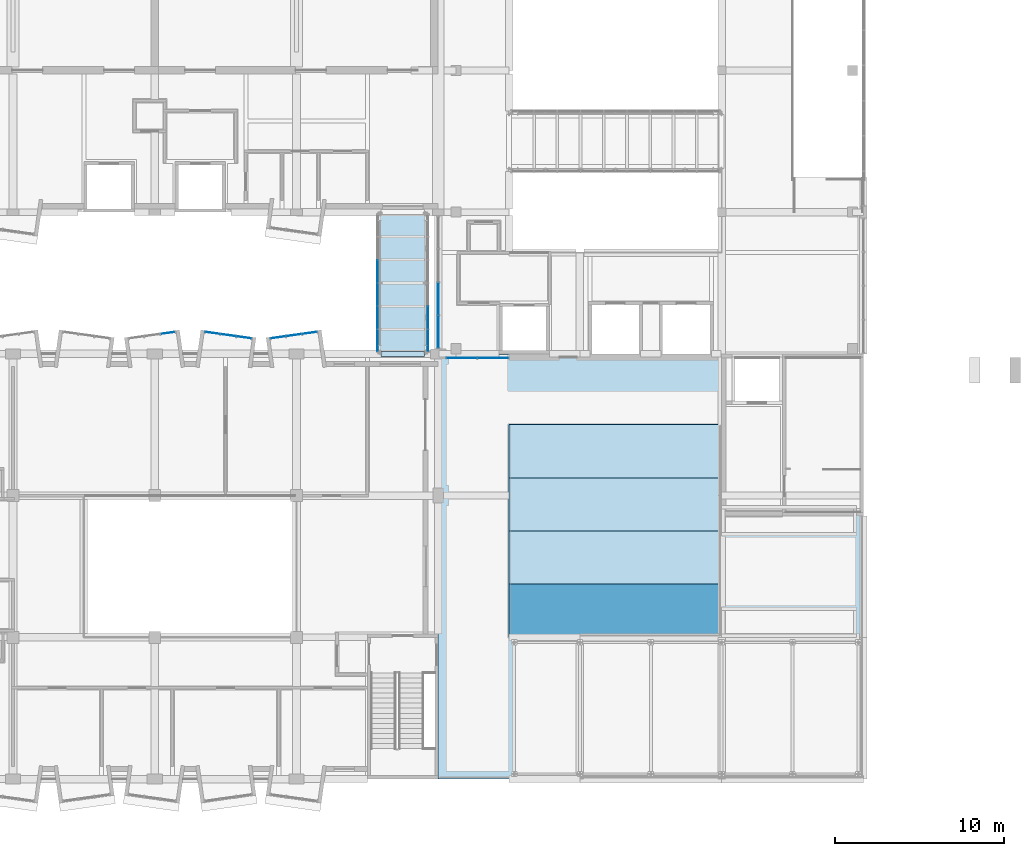
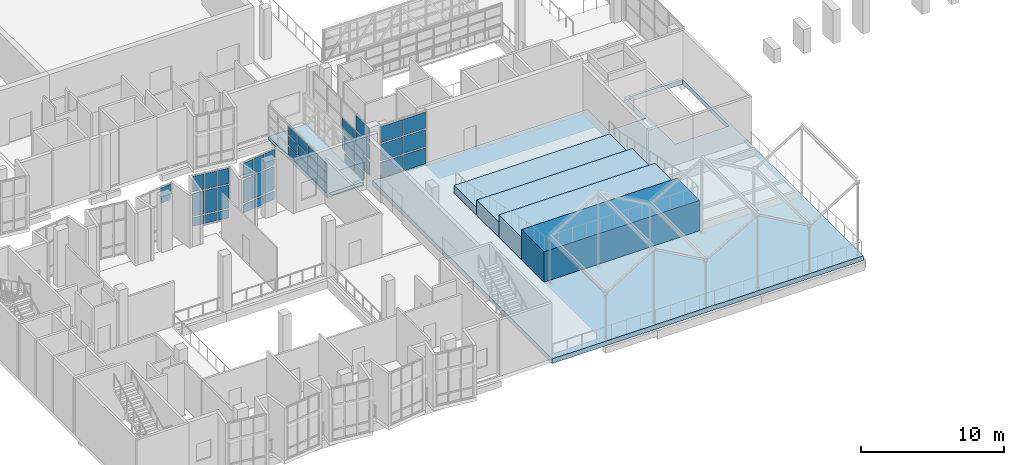
# One storey, part 31 of 67: 49 plates, 6 slabs, 7 elements without a shape of their own.
"""IFC4 building model written with IfcOpenShell, lengths in metres."""

from ifc_helpers import new_model, si_unit, direction, frame, origin, origin_2d, place, context, subcontext, project, spatial, polyline, rectangle, outline, extrude, material, layer, layer_set, type_object, element, aggregate, save


model = new_model("IFC4")

# Units and contexts
model_context = context("Model", 3, precision=1e-05, world=origin(), true_north=direction((0.0, 1.0)))
body_context = subcontext(model_context, "Body", "Model", "MODEL_VIEW")
ifc_project = project(units=[si_unit("LENGTHUNIT", "METRE"), si_unit("AREAUNIT", "SQUARE_METRE"), si_unit("VOLUMEUNIT", "CUBIC_METRE"), si_unit("PLANEANGLEUNIT", "RADIAN"), si_unit("MASSUNIT", "GRAM", prefix="KILO")], contexts=[model_context])

# Site, building, storey
site_placement = place(None, origin())
site = spatial("IfcSite", under=ifc_project, at=site_placement, CompositionType="ELEMENT")
building_placement = place(site_placement, origin())
building = spatial("IfcBuilding", under=site, at=building_placement, Name="Kiln Court Media Centre", CompositionType="ELEMENT")
storey_placement = place(building_placement, frame((0.0, 0.0, 19.800048828125)))
storey = spatial("IfcBuildingStorey", under=building, at=storey_placement, Name="L04", CompositionType="ELEMENT", Elevation=19.800048828125)

# Slabs
ifc_material_1 = material(Name="Concrete C30/37", Category="concrete")
ifc_layer_1 = layer(ifc_material_1, 0.300048828125)
ifc_layer_set_1 = layer_set([ifc_layer_1], Name="Concrete C30/37 bridge deck slab 300")
slab_type_1 = type_object("IfcSlabType", Name="Concrete C30/37 bridge deck slab 300", PredefinedType="FLOOR", material=ifc_layer_set_1)
slab_1_placement = place(storey_placement, frame((0.0, 0.0, -0.300048828125)))
element("IfcSlab", 1, at=slab_1_placement, inside=storey, type_object=slab_type_1, Name="bridge BR-2 deck bridge deck slab", PredefinedType="FLOOR", context=body_context, shape_type="SweptSolid", body=[
    extrude(outline(polyline([(30.0, 25.300048828125), (33.0, 25.300048828125), (33.0, 33.5), (30.0, 33.5), (30.0, 25.300048828125)])), origin(), (0.0, 0.0, 1.0), 0.300048828125),
])
ifc_material_2 = material(Name="Concrete C30/37", Category="concrete")
ifc_layer_2 = layer(ifc_material_2, 0.39990234375)
ifc_layer_set_2 = layer_set([ifc_layer_2], Name="Concrete C30/37 roof slab 400")
slab_type_2 = type_object("IfcSlabType", Name="Concrete C30/37 roof slab 400", PredefinedType="ROOF", material=ifc_layer_set_2)
slab_2_placement = place(storey_placement, frame((0.0, 0.0, -0.400146484375)))
element("IfcSlab", 2, at=slab_2_placement, inside=storey, type_object=slab_type_2, Name="L04-SL-1003", PredefinedType="ROOF", context=body_context, shape_type="SweptSolid", body=[
    extrude(outline(polyline([(33.60009765625, 0.0), (33.60009765625, 25.199951171875), (51.0, 25.199951171875), (51.0, 22.199951171875), (54.0, 22.199951171875), (54.0, 25.199951171875), (58.800048828125, 25.199951171875), (58.800048828125, 0.0), (33.60009765625, 0.0)]), holes=[polyline([(54.199951171875, 18.43994140625), (58.60009765625, 18.43994140625), (58.60009765625, 25.0), (54.199951171875, 25.0), (54.199951171875, 18.43994140625)])]), origin(), (0.0, 0.0, 1.0), 0.400146484375),
])
ifc_material_3 = material(Name="Concrete C30/37", Category="concrete")
ifc_layer_3 = layer(ifc_material_3, 1.300048828125)
ifc_layer_set_3 = layer_set([ifc_layer_3], Name="Concrete C30/37 seating tier slab 1300")
slab_type_3 = type_object("IfcSlabType", Name="Concrete C30/37 seating tier slab 1300", PredefinedType="FLOOR", material=ifc_layer_set_3)
slab_3_placement = place(storey_placement, origin())
element("IfcSlab", 3, at=slab_3_placement, inside=storey, type_object=slab_type_3, Name="L04-SL-1006", PredefinedType="FLOOR", context=body_context, shape_type="SweptSolid", body=[
    extrude(outline(polyline([(37.800048828125, 14.699951171875), (37.800048828125, 17.85009765625), (50.39990234375, 17.85009765625), (50.39990234375, 14.699951171875), (37.800048828125, 14.699951171875)])), origin(), (0.0, 0.0, 1.0), 1.300048828125),
])
ifc_material_4 = material(Name="Concrete C30/37", Category="concrete")
ifc_layer_4 = layer(ifc_material_4, 1.949951171875)
ifc_layer_set_4 = layer_set([ifc_layer_4], Name="Concrete C30/37 seating tier slab 1950")
slab_type_4 = type_object("IfcSlabType", Name="Concrete C30/37 seating tier slab 1950", PredefinedType="FLOOR", material=ifc_layer_set_4)
slab_4_placement = place(storey_placement, origin())
element("IfcSlab", 4, at=slab_4_placement, inside=storey, type_object=slab_type_4, Name="L04-SL-1007", PredefinedType="FLOOR", context=body_context, shape_type="SweptSolid", body=[
    extrude(outline(polyline([(37.800048828125, 11.550048828125), (37.800048828125, 14.699951171875), (50.39990234375, 14.699951171875), (50.39990234375, 11.550048828125), (37.800048828125, 11.550048828125)])), origin(), (0.0, 0.0, 1.0), 1.949951171875),
])
ifc_material_5 = material(Name="Concrete C30/37", Category="concrete")
ifc_layer_5 = layer(ifc_material_5, 2.60009765625)
ifc_layer_set_5 = layer_set([ifc_layer_5], Name="Concrete C30/37 seating tier slab 2600")
slab_type_5 = type_object("IfcSlabType", Name="Concrete C30/37 seating tier slab 2600", PredefinedType="FLOOR", material=ifc_layer_set_5)
slab_5_placement = place(storey_placement, origin())
element("IfcSlab", 5, at=slab_5_placement, inside=storey, type_object=slab_type_5, Name="L04-SL-1008", PredefinedType="FLOOR", context=body_context, shape_type="SweptSolid", body=[
    extrude(outline(polyline([(37.800048828125, 8.39990234375), (37.800048828125, 11.550048828125), (50.39990234375, 11.550048828125), (50.39990234375, 8.39990234375), (37.800048828125, 8.39990234375)])), origin(), (0.0, 0.0, 1.0), 2.599853515625),
])
ifc_material_6 = material(Name="Concrete C30/37", Category="concrete")
ifc_layer_6 = layer(ifc_material_6, 0.64990234375)
ifc_layer_set_6 = layer_set([ifc_layer_6], Name="Concrete C30/37 seating tier slab 650")
slab_type_6 = type_object("IfcSlabType", Name="Concrete C30/37 seating tier slab 650", PredefinedType="FLOOR", material=ifc_layer_set_6)
slab_6_placement = place(storey_placement, origin())
element("IfcSlab", 6, at=slab_6_placement, inside=storey, type_object=slab_type_6, Name="L04-SL-1005", PredefinedType="FLOOR", context=body_context, shape_type="SweptSolid", body=[
    extrude(outline(polyline([(37.800048828125, 17.85009765625), (37.800048828125, 21.0), (50.39990234375, 21.0), (50.39990234375, 17.85009765625), (37.800048828125, 17.85009765625)])), origin(), (0.0, 0.0, 1.0), 0.64990234375),
])

# Curtain wall, plates
ifc_material_7 = material(Name="Aluminium 6063-T6", Category="aluminium")
ifc_layer_7 = layer(ifc_material_7, 0.1201171875)
ifc_layer_set_7 = layer_set([ifc_layer_7], Name="Aluminium unitised curtain wall, bridge")
curtain_wall_type_1 = type_object("IfcCurtainWallType", Name="Aluminium unitised curtain wall, bridge", PredefinedType="USERDEFINED", material=ifc_layer_set_7)
curtain_wall_1_placement = place(storey_placement, origin())
curtain_wall_1 = element("IfcCurtainWall", 7, at=curtain_wall_1_placement, inside=storey, type_object=curtain_wall_type_1, Name="BR-2 side glazing", ObjectType="UNITISED CURTAIN WALL", PredefinedType="USERDEFINED")
ifc_material_8 = material(Name="Aluminium insulated spandrel", Category="aluminium")
ifc_layer_8 = layer(ifc_material_8, 0.028076171875)
ifc_layer_set_8 = layer_set([ifc_layer_8], Name="Insulated aluminium spandrel panel 28")
plate_type_1 = type_object("IfcPlateType", Name="Insulated aluminium spandrel panel 28", PredefinedType="CURTAIN_PANEL", material=ifc_layer_set_8)
plate_1_placement = place(storey_placement, frame((30.014892578125, 25.995849609375, 0.099853515625), z_axis=(0.0, 0.0, 1.0), x_axis=(0.0, 1.0, 0.0)))
plate_1 = element("IfcPlate", 8, at=plate_1_placement, type_object=plate_type_1, Name="CW4-65 panel 1.1", PredefinedType="CURTAIN_PANEL", context=body_context, shape_type="SweptSolid", body=[
    extrude(rectangle(XDim=1.291748046875, YDim=0.028076171875, at=origin_2d()), origin(), (0.0, 0.0, 1.0), 0.74169921875),
])
plate_2_placement = place(storey_placement, frame((30.014892578125, 25.995849609375, 0.941650390625), z_axis=(0.0, 0.0, 1.0), x_axis=(0.0, 1.0, 0.0)))
plate_2 = element("IfcPlate", 9, at=plate_2_placement, type_object=plate_type_1, Name="CW4-65 panel 1.2", PredefinedType="CURTAIN_PANEL", context=body_context, shape_type="SweptSolid", body=[
    extrude(rectangle(XDim=1.291748046875, YDim=0.028076171875, at=origin_2d()), origin(), (0.0, 0.0, 1.0), 0.79150390625),
])
plate_3_placement = place(storey_placement, frame((30.014892578125, 27.35009765625, 0.099853515625), z_axis=(0.0, 0.0, 1.0), x_axis=(0.0, 1.0, 0.0)))
plate_3 = element("IfcPlate", 10, at=plate_3_placement, type_object=plate_type_1, Name="CW4-65 panel 2.1", PredefinedType="CURTAIN_PANEL", context=body_context, shape_type="SweptSolid", body=[
    extrude(rectangle(XDim=1.316650390625, YDim=0.028076171875, at=origin_2d()), origin(), (0.0, 0.0, 1.0), 0.74169921875),
])
plate_4_placement = place(storey_placement, frame((30.014892578125, 27.35009765625, 1.833251953125), z_axis=(0.0, 0.0, 1.0), x_axis=(0.0, 1.0, 0.0)))
plate_4 = element("IfcPlate", 11, at=plate_4_placement, type_object=plate_type_1, Name="CW4-65 panel 2.3", PredefinedType="CURTAIN_PANEL", context=body_context, shape_type="SweptSolid", body=[
    extrude(rectangle(XDim=1.316650390625, YDim=0.028076171875, at=origin_2d()), origin(), (0.0, 0.0, 1.0), 0.74169921875),
])
plate_5_placement = place(storey_placement, frame((30.014892578125, 28.716552734375, 0.099853515625), z_axis=(0.0, 0.0, 1.0), x_axis=(0.0, 1.0, 0.0)))
plate_5 = element("IfcPlate", 12, at=plate_5_placement, type_object=plate_type_1, Name="CW4-65 panel 3.1", PredefinedType="CURTAIN_PANEL", context=body_context, shape_type="SweptSolid", body=[
    extrude(rectangle(XDim=1.316650390625, YDim=0.028076171875, at=origin_2d()), origin(), (0.0, 0.0, 1.0), 0.74169921875),
])
plate_6_placement = place(storey_placement, frame((30.014892578125, 28.716552734375, 0.941650390625), z_axis=(0.0, 0.0, 1.0), x_axis=(0.0, 1.0, 0.0)))
plate_6 = element("IfcPlate", 13, at=plate_6_placement, type_object=plate_type_1, Name="CW4-65 panel 3.2", PredefinedType="CURTAIN_PANEL", context=body_context, shape_type="SweptSolid", body=[
    extrude(rectangle(XDim=1.316650390625, YDim=0.028076171875, at=origin_2d()), origin(), (0.0, 0.0, 1.0), 0.79150390625),
])
plate_7_placement = place(storey_placement, frame((30.014892578125, 28.716552734375, 1.833251953125), z_axis=(0.0, 0.0, 1.0), x_axis=(0.0, 1.0, 0.0)))
plate_7 = element("IfcPlate", 14, at=plate_7_placement, type_object=plate_type_1, Name="CW4-65 panel 3.3", PredefinedType="CURTAIN_PANEL", context=body_context, shape_type="SweptSolid", body=[
    extrude(rectangle(XDim=1.316650390625, YDim=0.028076171875, at=origin_2d()), origin(), (0.0, 0.0, 1.0), 0.74169921875),
])
plate_8_placement = place(storey_placement, frame((30.014892578125, 30.083251953125, 0.099853515625), z_axis=(0.0, 0.0, 1.0), x_axis=(0.0, 1.0, 0.0)))
plate_8 = element("IfcPlate", 15, at=plate_8_placement, type_object=plate_type_1, Name="CW4-65 panel 4.1", PredefinedType="CURTAIN_PANEL", context=body_context, shape_type="SweptSolid", body=[
    extrude(rectangle(XDim=1.316650390625, YDim=0.028076171875, at=origin_2d()), origin(), (0.0, 0.0, 1.0), 0.74169921875),
])
plate_9_placement = place(storey_placement, frame((30.014892578125, 30.083251953125, 0.941650390625), z_axis=(0.0, 0.0, 1.0), x_axis=(0.0, 1.0, 0.0)))
plate_9 = element("IfcPlate", 16, at=plate_9_placement, type_object=plate_type_1, Name="CW4-65 panel 4.2", PredefinedType="CURTAIN_PANEL", context=body_context, shape_type="SweptSolid", body=[
    extrude(rectangle(XDim=1.316650390625, YDim=0.028076171875, at=origin_2d()), origin(), (0.0, 0.0, 1.0), 0.79150390625),
])
plate_10_placement = place(storey_placement, frame((30.014892578125, 30.083251953125, 1.833251953125), z_axis=(0.0, 0.0, 1.0), x_axis=(0.0, 1.0, 0.0)))
plate_10 = element("IfcPlate", 17, at=plate_10_placement, type_object=plate_type_1, Name="CW4-65 panel 4.3", PredefinedType="CURTAIN_PANEL", context=body_context, shape_type="SweptSolid", body=[
    extrude(rectangle(XDim=1.316650390625, YDim=0.028076171875, at=origin_2d()), origin(), (0.0, 0.0, 1.0), 0.74169921875),
])

curtain_wall_2_placement = place(storey_placement, origin())
curtain_wall_2 = element("IfcCurtainWall", 18, at=curtain_wall_2_placement, inside=storey, type_object=curtain_wall_type_1, Name="BR-2 side glazing", ObjectType="UNITISED CURTAIN WALL", PredefinedType="USERDEFINED")
plate_11_placement = place(storey_placement, frame((32.985107421875, 25.995849609375, 0.099853515625), z_axis=(0.0, 0.0, 1.0), x_axis=(0.0, 1.0, 0.0)))
plate_11 = element("IfcPlate", 19, at=plate_11_placement, type_object=plate_type_1, Name="CW4-66 panel 1.1", PredefinedType="CURTAIN_PANEL", context=body_context, shape_type="SweptSolid", body=[
    extrude(rectangle(XDim=1.291748046875, YDim=0.028076171875, at=origin_2d()), origin(), (0.0, 0.0, 1.0), 0.74169921875),
])
plate_12_placement = place(storey_placement, frame((32.985107421875, 25.995849609375, 0.941650390625), z_axis=(0.0, 0.0, 1.0), x_axis=(0.0, 1.0, 0.0)))
plate_12 = element("IfcPlate", 20, at=plate_12_placement, type_object=plate_type_1, Name="CW4-66 panel 1.2", PredefinedType="CURTAIN_PANEL", context=body_context, shape_type="SweptSolid", body=[
    extrude(rectangle(XDim=1.291748046875, YDim=0.028076171875, at=origin_2d()), origin(), (0.0, 0.0, 1.0), 0.79150390625),
])
plate_13_placement = place(storey_placement, frame((32.985107421875, 27.35009765625, 0.099853515625), z_axis=(0.0, 0.0, 1.0), x_axis=(0.0, 1.0, 0.0)))
plate_13 = element("IfcPlate", 21, at=plate_13_placement, type_object=plate_type_1, Name="CW4-66 panel 2.1", PredefinedType="CURTAIN_PANEL", context=body_context, shape_type="SweptSolid", body=[
    extrude(rectangle(XDim=1.316650390625, YDim=0.028076171875, at=origin_2d()), origin(), (0.0, 0.0, 1.0), 0.74169921875),
])
plate_14_placement = place(storey_placement, frame((32.985107421875, 27.35009765625, 1.833251953125), z_axis=(0.0, 0.0, 1.0), x_axis=(0.0, 1.0, 0.0)))
plate_14 = element("IfcPlate", 22, at=plate_14_placement, type_object=plate_type_1, Name="CW4-66 panel 2.3", PredefinedType="CURTAIN_PANEL", context=body_context, shape_type="SweptSolid", body=[
    extrude(rectangle(XDim=1.316650390625, YDim=0.028076171875, at=origin_2d()), origin(), (0.0, 0.0, 1.0), 0.74169921875),
])

ifc_material_9 = material(Name="Aluminium 6063-T6", Category="aluminium")
ifc_layer_9 = layer(ifc_material_9, 0.1201171875)
ifc_layer_set_9 = layer_set([ifc_layer_9], Name="Aluminium stick curtain wall, gallery")
curtain_wall_type_2 = type_object("IfcCurtainWallType", Name="Aluminium stick curtain wall, gallery", PredefinedType="USERDEFINED", material=ifc_layer_set_9)
curtain_wall_3_placement = place(storey_placement, origin())
curtain_wall_3 = element("IfcCurtainWall", 23, at=curtain_wall_3_placement, inside=storey, type_object=curtain_wall_type_2, Name="Foyer west glazing L04", ObjectType="STICK CURTAIN WALL", PredefinedType="USERDEFINED")
ifc_material_10 = material(Name="Aluminium insulated spandrel", Category="aluminium")
ifc_layer_10 = layer(ifc_material_10, 0.033935546875)
ifc_layer_set_10 = layer_set([ifc_layer_10], Name="Insulated aluminium spandrel panel 34")
plate_type_2 = type_object("IfcPlateType", Name="Insulated aluminium spandrel panel 34", PredefinedType="CURTAIN_PANEL", material=ifc_layer_set_10)
plate_15_placement = place(storey_placement, frame((33.60009765625, 26.50244140625, 0.14013671875), z_axis=(0.0, 0.0, 1.0), x_axis=(0.0, 1.0, 0.0)))
plate_15 = element("IfcPlate", 24, at=plate_15_placement, type_object=plate_type_2, Name="CW4-64 panel 1.1", PredefinedType="CURTAIN_PANEL", context=body_context, shape_type="SweptSolid", body=[
    extrude(rectangle(XDim=1.885009765625, YDim=0.033935546875, at=origin_2d()), origin(), (0.0, 0.0, 1.0), 1.239990234375),
])
plate_16_placement = place(storey_placement, frame((33.60009765625, 26.50244140625, 1.52001953125), z_axis=(0.0, 0.0, 1.0), x_axis=(0.0, 1.0, 0.0)))
plate_16 = element("IfcPlate", 25, at=plate_16_placement, type_object=plate_type_2, Name="CW4-64 panel 1.2", PredefinedType="CURTAIN_PANEL", context=body_context, shape_type="SweptSolid", body=[
    extrude(rectangle(XDim=1.885009765625, YDim=0.033935546875, at=origin_2d()), origin(), (0.0, 0.0, 1.0), 1.31005859375),
])
plate_17_placement = place(storey_placement, frame((33.60009765625, 28.46240234375, 0.14013671875), z_axis=(0.0, 0.0, 1.0), x_axis=(0.0, 1.0, 0.0)))
plate_17 = element("IfcPlate", 26, at=plate_17_placement, type_object=plate_type_2, Name="CW4-64 panel 2.1", PredefinedType="CURTAIN_PANEL", context=body_context, shape_type="SweptSolid", body=[
    extrude(rectangle(XDim=1.9150390625, YDim=0.033935546875, at=origin_2d()), origin(), (0.0, 0.0, 1.0), 1.239990234375),
])
plate_18_placement = place(storey_placement, frame((33.60009765625, 28.46240234375, 1.52001953125), z_axis=(0.0, 0.0, 1.0), x_axis=(0.0, 1.0, 0.0)))
plate_18 = element("IfcPlate", 27, at=plate_18_placement, type_object=plate_type_2, Name="CW4-64 panel 2.2", PredefinedType="CURTAIN_PANEL", context=body_context, shape_type="SweptSolid", body=[
    extrude(rectangle(XDim=1.9150390625, YDim=0.033935546875, at=origin_2d()), origin(), (0.0, 0.0, 1.0), 1.31005859375),
])

ifc_material_11 = material(Name="Aluminium 6063-T6", Category="aluminium")
ifc_layer_11 = layer(ifc_material_11, 0.1201171875)
ifc_layer_set_11 = layer_set([ifc_layer_11], Name="Aluminium unitised bay curtain wall")
curtain_wall_type_3 = type_object("IfcCurtainWallType", Name="Aluminium unitised bay curtain wall", PredefinedType="USERDEFINED", material=ifc_layer_set_11)
curtain_wall_4_placement = place(storey_placement, origin())
curtain_wall_4 = element("IfcCurtainWall", 28, at=curtain_wall_4_placement, inside=storey, type_object=curtain_wall_type_3, Name="BAY V6A-N-L04-27 front", ObjectType="UNITISED CURTAIN WALL", PredefinedType="USERDEFINED")
ifc_material_12 = material(Name="Aluminium insulated spandrel", Category="aluminium")
ifc_layer_12 = layer(ifc_material_12, 0.028076171875)
ifc_layer_set_12 = layer_set([ifc_layer_12], Name="Insulated spandrel panel 28")
plate_type_3 = type_object("IfcPlateType", Name="Insulated spandrel panel 28", PredefinedType="CURTAIN_PANEL", material=ifc_layer_set_12)
plate_19_placement = place(storey_placement, frame((20.223388671875, 26.440185546875, 0.1201171875), z_axis=(0.0, 0.0, 1.0), x_axis=(0.990269562409, -0.139162472554, 0.0)))
plate_19 = element("IfcPlate", 29, at=plate_19_placement, type_object=plate_type_3, Name="CW4-06 panel 1.1", PredefinedType="CURTAIN_PANEL", context=body_context, shape_type="SweptSolid", body=[
    extrude(rectangle(XDim=0.86669921875, YDim=0.028076171875, at=origin_2d()), origin(), (0.0, 0.0, 1.0), 0.719970703125),
])
plate_20_placement = place(storey_placement, frame((21.15576171875, 26.30908203125, 0.1201171875), z_axis=(0.0, 0.0, 1.0), x_axis=(0.990269562409, -0.139162472554, 0.0)))
plate_20 = element("IfcPlate", 30, at=plate_20_placement, type_object=plate_type_3, Name="CW4-06 panel 2.1", PredefinedType="CURTAIN_PANEL", context=body_context, shape_type="SweptSolid", body=[
    extrude(rectangle(XDim=0.896728515625, YDim=0.028076171875, at=origin_2d()), origin(), (0.0, 0.0, 1.0), 0.719970703125),
])
plate_21_placement = place(storey_placement, frame((22.08837890625, 26.177978515625, 0.1201171875), z_axis=(0.0, 0.0, 1.0), x_axis=(0.990269562409, -0.139162472554, 0.0)))
plate_21 = element("IfcPlate", 31, at=plate_21_placement, type_object=plate_type_3, Name="CW4-06 panel 3.1", PredefinedType="CURTAIN_PANEL", context=body_context, shape_type="SweptSolid", body=[
    extrude(rectangle(XDim=0.86669921875, YDim=0.028076171875, at=origin_2d()), origin(), (0.0, 0.0, 1.0), 0.719970703125),
])

curtain_wall_5_placement = place(storey_placement, origin())
curtain_wall_5 = element("IfcCurtainWall", 32, at=curtain_wall_5_placement, inside=storey, type_object=curtain_wall_type_3, Name="BAY V6A-N-L04-28 front", ObjectType="UNITISED CURTAIN WALL", PredefinedType="USERDEFINED")
plate_22_placement = place(storey_placement, frame((24.111572265625, 26.177978515625, 0.1201171875), z_axis=(0.0, 0.0, 1.0), x_axis=(0.990269562409, 0.139162472554, 0.0)))
plate_22 = element("IfcPlate", 33, at=plate_22_placement, type_object=plate_type_3, Name="CW4-07 panel 1.1", PredefinedType="CURTAIN_PANEL", context=body_context, shape_type="SweptSolid", body=[
    extrude(rectangle(XDim=0.86669921875, YDim=0.028076171875, at=origin_2d()), origin(), (0.0, 0.0, 1.0), 0.719970703125),
])
plate_23_placement = place(storey_placement, frame((25.044189453125, 26.30908203125, 0.1201171875), z_axis=(0.0, 0.0, 1.0), x_axis=(0.990269562409, 0.139162472554, 0.0)))
plate_23 = element("IfcPlate", 34, at=plate_23_placement, type_object=plate_type_3, Name="CW4-07 panel 2.1", PredefinedType="CURTAIN_PANEL", context=body_context, shape_type="SweptSolid", body=[
    extrude(rectangle(XDim=0.896728515625, YDim=0.028076171875, at=origin_2d()), origin(), (0.0, 0.0, 1.0), 0.719970703125),
])
plate_24_placement = place(storey_placement, frame((25.9765625, 26.440185546875, 0.1201171875), z_axis=(0.0, 0.0, 1.0), x_axis=(0.990269562409, 0.139162472554, 0.0)))
plate_24 = element("IfcPlate", 35, at=plate_24_placement, type_object=plate_type_3, Name="CW4-07 panel 3.1", PredefinedType="CURTAIN_PANEL", context=body_context, shape_type="SweptSolid", body=[
    extrude(rectangle(XDim=0.86669921875, YDim=0.028076171875, at=origin_2d()), origin(), (0.0, 0.0, 1.0), 0.719970703125),
])

# Plate
ifc_material_13 = material(Name="Laminated low-E glazing", Category="glass")
ifc_layer_13 = layer(ifc_material_13, 0.028076171875)
ifc_layer_set_13 = layer_set([ifc_layer_13], Name="Laminated low-E glazed panel 28")
plate_type_4 = type_object("IfcPlateType", Name="Laminated low-E glazed panel 28", PredefinedType="CURTAIN_PANEL", material=ifc_layer_set_13)
plate_25_placement = place(storey_placement, frame((30.014892578125, 25.995849609375, 1.833251953125), z_axis=(0.0, 0.0, 1.0), x_axis=(0.0, 1.0, 0.0)))
plate_25 = element("IfcPlate", 36, at=plate_25_placement, type_object=plate_type_4, Name="CW4-65 panel 1.3", PredefinedType="CURTAIN_PANEL", context=body_context, shape_type="SweptSolid", body=[
    extrude(rectangle(XDim=1.291748046875, YDim=0.028076171875, at=origin_2d()), origin(), (0.0, 0.0, 1.0), 0.74169921875),
])

plate_26_placement = place(storey_placement, frame((30.014892578125, 27.35009765625, 0.941650390625), z_axis=(0.0, 0.0, 1.0), x_axis=(0.0, 1.0, 0.0)))
plate_26 = element("IfcPlate", 37, at=plate_26_placement, type_object=plate_type_4, Name="CW4-65 panel 2.2", PredefinedType="CURTAIN_PANEL", context=body_context, shape_type="SweptSolid", body=[
    extrude(rectangle(XDim=1.316650390625, YDim=0.028076171875, at=origin_2d()), origin(), (0.0, 0.0, 1.0), 0.79150390625),
])

aggregate(curtain_wall_1, [plate_1, plate_2, plate_25, plate_3, plate_26, plate_4, plate_5, plate_6, plate_7, plate_8, plate_9, plate_10])

plate_27_placement = place(storey_placement, frame((32.985107421875, 25.995849609375, 1.833251953125), z_axis=(0.0, 0.0, 1.0), x_axis=(0.0, 1.0, 0.0)))
plate_27 = element("IfcPlate", 38, at=plate_27_placement, type_object=plate_type_4, Name="CW4-66 panel 1.3", PredefinedType="CURTAIN_PANEL", context=body_context, shape_type="SweptSolid", body=[
    extrude(rectangle(XDim=1.291748046875, YDim=0.028076171875, at=origin_2d()), origin(), (0.0, 0.0, 1.0), 0.74169921875),
])

plate_28_placement = place(storey_placement, frame((32.985107421875, 27.35009765625, 0.941650390625), z_axis=(0.0, 0.0, 1.0), x_axis=(0.0, 1.0, 0.0)))
plate_28 = element("IfcPlate", 39, at=plate_28_placement, type_object=plate_type_4, Name="CW4-66 panel 2.2", PredefinedType="CURTAIN_PANEL", context=body_context, shape_type="SweptSolid", body=[
    extrude(rectangle(XDim=1.316650390625, YDim=0.028076171875, at=origin_2d()), origin(), (0.0, 0.0, 1.0), 0.79150390625),
])

aggregate(curtain_wall_2, [plate_11, plate_12, plate_27, plate_13, plate_28, plate_14])

# Curtain wall, plates
ifc_material_14 = material(Name="Aluminium 6063-T6", Category="aluminium")
ifc_layer_14 = layer(ifc_material_14, 0.1201171875)
ifc_layer_set_14 = layer_set([ifc_layer_14], Name="Aluminium stick curtain wall, clerestory")
curtain_wall_type_4 = type_object("IfcCurtainWallType", Name="Aluminium stick curtain wall, clerestory", PredefinedType="USERDEFINED", material=ifc_layer_set_14)
curtain_wall_6_placement = place(storey_placement, origin())
curtain_wall_6 = element("IfcCurtainWall", 40, at=curtain_wall_6_placement, inside=storey, type_object=curtain_wall_type_4, Name="Foyer south clerestory", ObjectType="STICK CURTAIN WALL", PredefinedType="USERDEFINED")
ifc_material_15 = material(Name="Laminated low-E glazing", Category="glass")
ifc_layer_15 = layer(ifc_material_15, 0.031982421875)
ifc_layer_set_15 = layer_set([ifc_layer_15], Name="Laminated low-E glazed panel 32")
plate_type_5 = type_object("IfcPlateType", Name="Laminated low-E glazed panel 32", PredefinedType="CURTAIN_PANEL", material=ifc_layer_set_15)
plate_29_placement = place(storey_placement, frame((35.00244140625, 24.95556640625, 0.1201171875), z_axis=(0.0, 0.0, 1.0), x_axis=(1.0, 0.0, 0.0)))
plate_29 = element("IfcPlate", 41, at=plate_29_placement, type_object=plate_type_5, Name="CW4-61 panel 1.1", PredefinedType="CURTAIN_PANEL", context=body_context, shape_type="SweptSolid", body=[
    extrude(rectangle(XDim=1.784912109375, YDim=0.031982421875, at=origin_2d()), origin(), (0.0, 0.0, 1.0), 1.379150390625),
])
plate_30_placement = place(storey_placement, frame((35.00244140625, 24.95556640625, 1.619140625), z_axis=(0.0, 0.0, 1.0), x_axis=(1.0, 0.0, 0.0)))
plate_30 = element("IfcPlate", 42, at=plate_30_placement, type_object=plate_type_5, Name="CW4-61 panel 1.2", PredefinedType="CURTAIN_PANEL", context=body_context, shape_type="SweptSolid", body=[
    extrude(rectangle(XDim=1.784912109375, YDim=0.031982421875, at=origin_2d()), origin(), (0.0, 0.0, 1.0), 1.439208984375),
])
plate_31_placement = place(storey_placement, frame((35.00244140625, 24.95556640625, 3.178466796875), z_axis=(0.0, 0.0, 1.0), x_axis=(1.0, 0.0, 0.0)))
plate_31 = element("IfcPlate", 43, at=plate_31_placement, type_object=plate_type_5, Name="CW4-61 panel 1.3", PredefinedType="CURTAIN_PANEL", context=body_context, shape_type="SweptSolid", body=[
    extrude(rectangle(XDim=1.784912109375, YDim=0.031982421875, at=origin_2d()), origin(), (0.0, 0.0, 1.0), 1.37939453125),
])
plate_32_placement = place(storey_placement, frame((36.847412109375, 24.95556640625, 0.1201171875), z_axis=(0.0, 0.0, 1.0), x_axis=(1.0, 0.0, 0.0)))
plate_32 = element("IfcPlate", 44, at=plate_32_placement, type_object=plate_type_5, Name="CW4-61 panel 2.1", PredefinedType="CURTAIN_PANEL", context=body_context, shape_type="SweptSolid", body=[
    extrude(rectangle(XDim=1.784912109375, YDim=0.031982421875, at=origin_2d()), origin(), (0.0, 0.0, 1.0), 1.379150390625),
])
plate_33_placement = place(storey_placement, frame((36.847412109375, 24.95556640625, 1.619140625), z_axis=(0.0, 0.0, 1.0), x_axis=(1.0, 0.0, 0.0)))
plate_33 = element("IfcPlate", 45, at=plate_33_placement, type_object=plate_type_5, Name="CW4-61 panel 2.2", PredefinedType="CURTAIN_PANEL", context=body_context, shape_type="SweptSolid", body=[
    extrude(rectangle(XDim=1.784912109375, YDim=0.031982421875, at=origin_2d()), origin(), (0.0, 0.0, 1.0), 1.439208984375),
])
plate_34_placement = place(storey_placement, frame((36.847412109375, 24.95556640625, 3.178466796875), z_axis=(0.0, 0.0, 1.0), x_axis=(1.0, 0.0, 0.0)))
plate_34 = element("IfcPlate", 46, at=plate_34_placement, type_object=plate_type_5, Name="CW4-61 panel 2.3", PredefinedType="CURTAIN_PANEL", context=body_context, shape_type="SweptSolid", body=[
    extrude(rectangle(XDim=1.784912109375, YDim=0.031982421875, at=origin_2d()), origin(), (0.0, 0.0, 1.0), 1.37939453125),
])
aggregate(curtain_wall_6, [plate_29, plate_30, plate_31, plate_32, plate_33, plate_34])

# Plate
ifc_material_16 = material(Name="Laminated low-E glazing", Category="glass")
ifc_layer_16 = layer(ifc_material_16, 0.033935546875)
ifc_layer_set_16 = layer_set([ifc_layer_16], Name="Laminated low-E glazed panel 34")
plate_type_6 = type_object("IfcPlateType", Name="Laminated low-E glazed panel 34", PredefinedType="CURTAIN_PANEL", material=ifc_layer_set_16)
plate_35_placement = place(storey_placement, frame((33.60009765625, 26.50244140625, 2.9697265625), z_axis=(0.0, 0.0, 1.0), x_axis=(0.0, 1.0, 0.0)))
plate_35 = element("IfcPlate", 47, at=plate_35_placement, type_object=plate_type_6, Name="CW4-64 panel 1.3", PredefinedType="CURTAIN_PANEL", context=body_context, shape_type="SweptSolid", body=[
    extrude(rectangle(XDim=1.885009765625, YDim=0.033935546875, at=origin_2d()), origin(), (0.0, 0.0, 1.0), 1.239990234375),
])

aggregate(curtain_wall_3, [plate_15, plate_16, plate_35, plate_17, plate_18])

# Curtain wall, plate
curtain_wall_7_placement = place(storey_placement, origin())
curtain_wall_7 = element("IfcCurtainWall", 48, at=curtain_wall_7_placement, inside=storey, type_object=curtain_wall_type_3, Name="BAY V6A-N-L04-26 front", ObjectType="UNITISED CURTAIN WALL", PredefinedType="USERDEFINED")
ifc_material_17 = material(Name="Low-E double glazing", Category="glass")
ifc_layer_17 = layer(ifc_material_17, 0.028076171875)
ifc_layer_set_17 = layer_set([ifc_layer_17], Name="Low-E double glazed panel 28")
plate_type_7 = type_object("IfcPlateType", Name="Low-E double glazed panel 28", PredefinedType="CURTAIN_PANEL", material=ifc_layer_set_17)
plate_36_placement = place(storey_placement, frame((17.57666015625, 26.440185546875, 3.06005859375), z_axis=(0.0, 0.0, 1.0), x_axis=(0.990269562409, 0.139162472554, 0.0)))
plate_36 = element("IfcPlate", 49, at=plate_36_placement, type_object=plate_type_7, Name="CW4-05 panel 3.3", PredefinedType="CURTAIN_PANEL", context=body_context, shape_type="SweptSolid", body=[
    extrude(rectangle(XDim=0.86669921875, YDim=0.028076171875, at=origin_2d()), origin(), (0.0, 0.0, 1.0), 1.320068359375),
])
aggregate(curtain_wall_7, [plate_36])

# Plate
plate_37_placement = place(storey_placement, frame((20.223388671875, 26.440185546875, 0.9599609375), z_axis=(0.0, 0.0, 1.0), x_axis=(0.990269562409, -0.139162472554, 0.0)))
plate_37 = element("IfcPlate", 50, at=plate_37_placement, type_object=plate_type_7, Name="CW4-06 panel 1.2", PredefinedType="CURTAIN_PANEL", context=body_context, shape_type="SweptSolid", body=[
    extrude(rectangle(XDim=0.86669921875, YDim=0.028076171875, at=origin_2d()), origin(), (0.0, 0.0, 1.0), 1.97998046875),
])

plate_38_placement = place(storey_placement, frame((20.223388671875, 26.440185546875, 3.06005859375), z_axis=(0.0, 0.0, 1.0), x_axis=(0.990269562409, -0.139162472554, 0.0)))
plate_38 = element("IfcPlate", 51, at=plate_38_placement, type_object=plate_type_7, Name="CW4-06 panel 1.3", PredefinedType="CURTAIN_PANEL", context=body_context, shape_type="SweptSolid", body=[
    extrude(rectangle(XDim=0.86669921875, YDim=0.028076171875, at=origin_2d()), origin(), (0.0, 0.0, 1.0), 1.320068359375),
])

plate_39_placement = place(storey_placement, frame((21.15576171875, 26.30908203125, 0.9599609375), z_axis=(0.0, 0.0, 1.0), x_axis=(0.990269562409, -0.139162472554, 0.0)))
plate_39 = element("IfcPlate", 52, at=plate_39_placement, type_object=plate_type_7, Name="CW4-06 panel 2.2", PredefinedType="CURTAIN_PANEL", context=body_context, shape_type="SweptSolid", body=[
    extrude(rectangle(XDim=0.896728515625, YDim=0.028076171875, at=origin_2d()), origin(), (0.0, 0.0, 1.0), 1.97998046875),
])

plate_40_placement = place(storey_placement, frame((21.15576171875, 26.30908203125, 3.06005859375), z_axis=(0.0, 0.0, 1.0), x_axis=(0.990269562409, -0.139162472554, 0.0)))
plate_40 = element("IfcPlate", 53, at=plate_40_placement, type_object=plate_type_7, Name="CW4-06 panel 2.3", PredefinedType="CURTAIN_PANEL", context=body_context, shape_type="SweptSolid", body=[
    extrude(rectangle(XDim=0.896728515625, YDim=0.028076171875, at=origin_2d()), origin(), (0.0, 0.0, 1.0), 1.320068359375),
])

plate_41_placement = place(storey_placement, frame((22.08837890625, 26.177978515625, 0.9599609375), z_axis=(0.0, 0.0, 1.0), x_axis=(0.990269562409, -0.139162472554, 0.0)))
plate_41 = element("IfcPlate", 54, at=plate_41_placement, type_object=plate_type_7, Name="CW4-06 panel 3.2", PredefinedType="CURTAIN_PANEL", context=body_context, shape_type="SweptSolid", body=[
    extrude(rectangle(XDim=0.86669921875, YDim=0.028076171875, at=origin_2d()), origin(), (0.0, 0.0, 1.0), 1.97998046875),
])

plate_42_placement = place(storey_placement, frame((22.08837890625, 26.177978515625, 3.06005859375), z_axis=(0.0, 0.0, 1.0), x_axis=(0.990269562409, -0.139162472554, 0.0)))
plate_42 = element("IfcPlate", 55, at=plate_42_placement, type_object=plate_type_7, Name="CW4-06 panel 3.3", PredefinedType="CURTAIN_PANEL", context=body_context, shape_type="SweptSolid", body=[
    extrude(rectangle(XDim=0.86669921875, YDim=0.028076171875, at=origin_2d()), origin(), (0.0, 0.0, 1.0), 1.320068359375),
])

aggregate(curtain_wall_4, [plate_19, plate_37, plate_38, plate_20, plate_39, plate_40, plate_21, plate_41, plate_42])

plate_43_placement = place(storey_placement, frame((24.111572265625, 26.177978515625, 0.9599609375), z_axis=(0.0, 0.0, 1.0), x_axis=(0.990269562409, 0.139162472554, 0.0)))
plate_43 = element("IfcPlate", 56, at=plate_43_placement, type_object=plate_type_7, Name="CW4-07 panel 1.2", PredefinedType="CURTAIN_PANEL", context=body_context, shape_type="SweptSolid", body=[
    extrude(rectangle(XDim=0.86669921875, YDim=0.028076171875, at=origin_2d()), origin(), (0.0, 0.0, 1.0), 1.97998046875),
])

plate_44_placement = place(storey_placement, frame((24.111572265625, 26.177978515625, 3.06005859375), z_axis=(0.0, 0.0, 1.0), x_axis=(0.990269562409, 0.139162472554, 0.0)))
plate_44 = element("IfcPlate", 57, at=plate_44_placement, type_object=plate_type_7, Name="CW4-07 panel 1.3", PredefinedType="CURTAIN_PANEL", context=body_context, shape_type="SweptSolid", body=[
    extrude(rectangle(XDim=0.86669921875, YDim=0.028076171875, at=origin_2d()), origin(), (0.0, 0.0, 1.0), 1.320068359375),
])

plate_45_placement = place(storey_placement, frame((25.044189453125, 26.30908203125, 0.9599609375), z_axis=(0.0, 0.0, 1.0), x_axis=(0.990269562409, 0.139162472554, 0.0)))
plate_45 = element("IfcPlate", 58, at=plate_45_placement, type_object=plate_type_7, Name="CW4-07 panel 2.2", PredefinedType="CURTAIN_PANEL", context=body_context, shape_type="SweptSolid", body=[
    extrude(rectangle(XDim=0.896728515625, YDim=0.028076171875, at=origin_2d()), origin(), (0.0, 0.0, 1.0), 1.97998046875),
])

plate_46_placement = place(storey_placement, frame((25.044189453125, 26.30908203125, 3.06005859375), z_axis=(0.0, 0.0, 1.0), x_axis=(0.990269562409, 0.139162472554, 0.0)))
plate_46 = element("IfcPlate", 59, at=plate_46_placement, type_object=plate_type_7, Name="CW4-07 panel 2.3", PredefinedType="CURTAIN_PANEL", context=body_context, shape_type="SweptSolid", body=[
    extrude(rectangle(XDim=0.896728515625, YDim=0.028076171875, at=origin_2d()), origin(), (0.0, 0.0, 1.0), 1.320068359375),
])

plate_47_placement = place(storey_placement, frame((25.9765625, 26.440185546875, 0.9599609375), z_axis=(0.0, 0.0, 1.0), x_axis=(0.990269562409, 0.139162472554, 0.0)))
plate_47 = element("IfcPlate", 60, at=plate_47_placement, type_object=plate_type_7, Name="CW4-07 panel 3.2", PredefinedType="CURTAIN_PANEL", context=body_context, shape_type="SweptSolid", body=[
    extrude(rectangle(XDim=0.86669921875, YDim=0.028076171875, at=origin_2d()), origin(), (0.0, 0.0, 1.0), 1.97998046875),
])

plate_48_placement = place(storey_placement, frame((25.9765625, 26.440185546875, 3.06005859375), z_axis=(0.0, 0.0, 1.0), x_axis=(0.990269562409, 0.139162472554, 0.0)))
plate_48 = element("IfcPlate", 61, at=plate_48_placement, type_object=plate_type_7, Name="CW4-07 panel 3.3", PredefinedType="CURTAIN_PANEL", context=body_context, shape_type="SweptSolid", body=[
    extrude(rectangle(XDim=0.86669921875, YDim=0.028076171875, at=origin_2d()), origin(), (0.0, 0.0, 1.0), 1.320068359375),
])

aggregate(curtain_wall_5, [plate_22, plate_43, plate_44, plate_23, plate_45, plate_46, plate_24, plate_47, plate_48])

ifc_material_18 = material(Name="Steel ASTM A572 Gr 50", Category="steel")
ifc_layer_18 = layer(ifc_material_18, 0.010009765625)
ifc_layer_set_18 = layer_set([ifc_layer_18], Name="Steel ASTM A572 Gr 50 2600x300x10 movement joint cover plate")
plate_type_8 = type_object("IfcPlateType", Name="Steel ASTM A572 Gr 50 2600x300x10 movement joint cover plate", PredefinedType="USERDEFINED", material=ifc_layer_set_18)
plate_49_placement = place(storey_placement, frame((31.5, 25.199951171875, -0.001953125), z_axis=(0.0, 0.0, 1.0), x_axis=(1.0, 0.0, 0.0)))
element("IfcPlate", 62, at=plate_49_placement, inside=storey, type_object=plate_type_8, Name="bridge BR-2 joint 1 movement joint cover plate", ObjectType="MOVEMENT JOINT COVER PLATE", PredefinedType="USERDEFINED", context=body_context, shape_type="SweptSolid", body=[
    extrude(rectangle(XDim=2.60009765625, YDim=0.300048828125, at=origin_2d()), origin(), (0.0, 0.0, 1.0), 0.010009765625),
])

save(model, "model.ifc")
